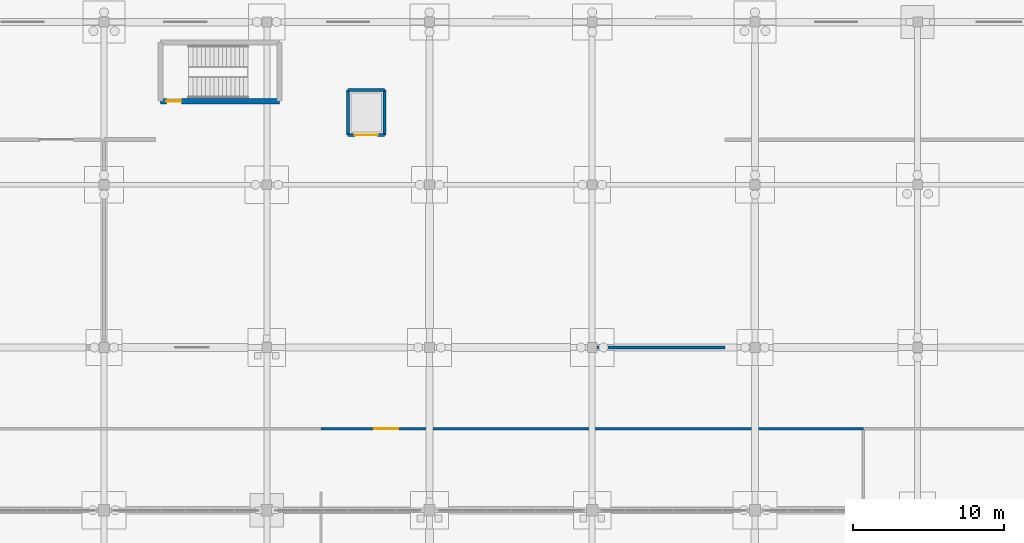
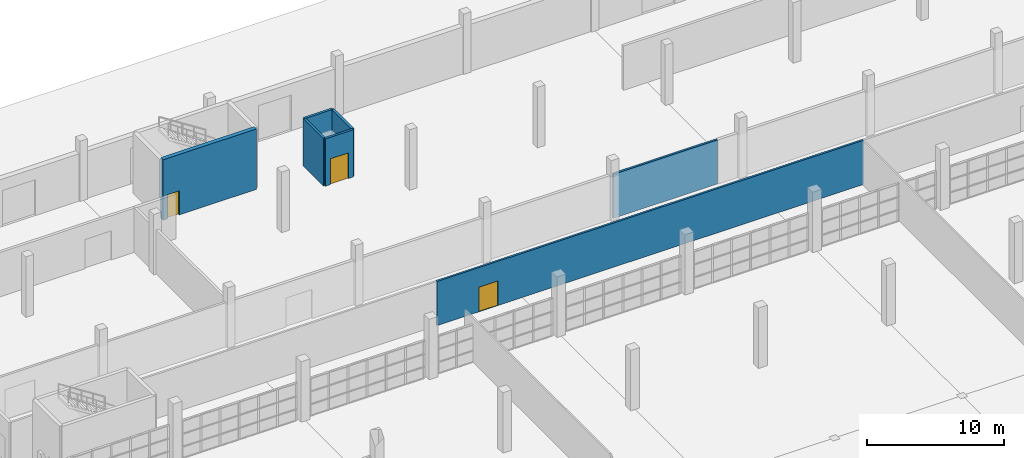
# One storey, part 106 of 138: 7 walls, 3 doors, 3 openings.
"""IFC4 building model written with IfcOpenShell, lengths in metres."""

from ifc_helpers import new_model, si_unit, direction, frame, frame_2d, origin, place, context, subcontext, project, spatial, rectangle, extrude, material, layer, layer_set, type_object, element, fill, save


model = new_model("IFC4")

# Units and contexts
model_context = context("Model", 3, precision=1e-05, world=origin(), true_north=direction((0.0, 1.0)))
body_context = subcontext(model_context, "Body", "Model", "MODEL_VIEW")
ifc_project = project(units=[si_unit("LENGTHUNIT", "METRE"), si_unit("AREAUNIT", "SQUARE_METRE"), si_unit("VOLUMEUNIT", "CUBIC_METRE"), si_unit("PLANEANGLEUNIT", "RADIAN"), si_unit("MASSUNIT", "GRAM", prefix="KILO")], contexts=[model_context])

# Site, building, storey
site_placement = place(None, origin())
site = spatial("IfcSite", under=ifc_project, at=site_placement, CompositionType="ELEMENT")
building_placement = place(site_placement, origin())
building = spatial("IfcBuilding", under=site, at=building_placement, Name="Zwinboog Wholesale Market", CompositionType="ELEMENT")
storey_placement = place(building_placement, origin())
storey = spatial("IfcBuildingStorey", under=building, at=storey_placement, Name="L00", CompositionType="ELEMENT", Elevation=0.0)

# Wall, opening, door
ifc_material_1 = material(Name="Concrete C40/50", Category="concrete")
ifc_layer_1 = layer(ifc_material_1, 0.35009765625)
ifc_layer_set_1 = layer_set([ifc_layer_1], Name="Concrete C40/50")
wall_type_1 = type_object("IfcWallType", Name="WT-SW-350", PredefinedType="SHEAR", material=ifc_layer_set_1)
wall_1_placement = place(storey_placement, frame((90.14990234375, 124.35009765625, 0.0), z_axis=(0.0, 0.0, 1.0), x_axis=(1.0, 0.0, 0.0)))
wall_1 = element("IfcWall", 1, at=wall_1_placement, inside=storey, type_object=wall_type_1, Name="SW-04 (WL-SW-L00-025)", PredefinedType="SHEAR", context=body_context, shape_type="SweptSolid", body=[
    extrude(rectangle(XDim=7.900146484375, YDim=0.35009765625, at=frame_2d((3.9501953125, 0.0))), origin(), (0.0, 0.0, 1.0), 5.39990234375),
])
opening_1_placement = place(wall_1_placement, frame((0.3798828125, 0.0, 0.0)))
opening_1 = element("IfcOpeningElement", 2, at=opening_1_placement, cuts=wall_1, Name="Opening FD-0007", PredefinedType="OPENING", context=body_context, shape_type="SweptSolid", body=[
    extrude(rectangle(XDim=1.0, YDim=2.14990234375, at=frame_2d((0.5, 1.074951171875))), frame((0.0, 0.18505859375, 0.0), z_axis=(0.0, -1.0, 0.0), x_axis=(1.0, 0.0, 0.0)), (0.0, 0.0, 1.0), 0.3701171875),
])
ifc_material_2 = material(Name="Timber and powder-coated steel door leaf", Category="steel")
door_type_1 = type_object("IfcDoorType", Name="IDT-FD-01", OperationType="NOTDEFINED", PredefinedType="DOOR", material=ifc_material_2)
door_1_placement = place(opening_1_placement, origin())
door_1 = element("IfcDoor", 3, at=door_1_placement, inside=storey, type_object=door_type_1, Name="Core Fire Door FD-0007", OperationType="SINGLE_SWING_RIGHT", OverallHeight=2.14990234375, OverallWidth=1.0, PredefinedType="DOOR", context=body_context, shape_type="SweptSolid", body=[
    extrude(rectangle(XDim=1.0, YDim=2.14990234375, at=frame_2d((0.5, 1.074951171875))), frame((0.0, 0.02490234375, 0.0), z_axis=(0.0, -1.0, 0.0), x_axis=(1.0, 0.0, 0.0)), (0.0, 0.0, 1.0), 0.050048828125),
])
fill(opening_1, door_1)

ifc_material_3 = material(Name="Precast concrete C45/55", Category="concrete")
ifc_layer_2 = layer(ifc_material_3, 0.199951171875)
ifc_layer_set_2 = layer_set([ifc_layer_2], Name="Precast concrete C45/55")
wall_type_2 = type_object("IfcWallType", Name="WT-IW-200", PredefinedType="SOLIDWALL", material=ifc_layer_set_2)
wall_2_placement = place(storey_placement, frame((102.60009765625, 122.10009765625, 0.0), z_axis=(0.0, 0.0, 1.0), x_axis=(1.0, 0.0, 0.0)))
wall_2 = element("IfcWall", 4, at=wall_2_placement, inside=storey, type_object=wall_type_2, Name="IW-60 (WL-LSH-L00-237)", PredefinedType="SOLIDWALL", context=body_context, shape_type="SweptSolid", body=[
    extrude(rectangle(XDim=2.39990234375, YDim=0.199951171875, at=frame_2d((1.199951171875, 0.0))), origin(), (0.0, 0.0, 1.0), 4.219970703125),
])
opening_2_placement = place(wall_2_placement, frame((0.449951171875, 0.0, 0.0)))
opening_2 = element("IfcOpeningElement", 5, at=opening_2_placement, cuts=wall_2, Name="Opening LD-018", PredefinedType="OPENING", context=body_context, shape_type="SweptSolid", body=[
    extrude(rectangle(XDim=1.5, YDim=2.300048828125, at=frame_2d((0.75, 1.14990234375))), frame((0.0, 0.10986328125, 0.0), z_axis=(0.0, -1.0, 0.0), x_axis=(1.0, 0.0, 0.0)), (0.0, 0.0, 1.0), 0.219970703125),
])
door_type_2 = type_object("IfcDoorType", Name="IDT-LD-150", OperationType="DOUBLE_DOOR_SLIDING", PredefinedType="DOOR", material=ifc_material_2)
door_2_placement = place(opening_2_placement, origin())
door_2 = element("IfcDoor", 6, at=door_2_placement, inside=storey, type_object=door_type_2, Name="Lift Landing Door LD-018 (LG-02)", OperationType="DOUBLE_DOOR_SLIDING", OverallHeight=2.300048828125, OverallWidth=1.5, PredefinedType="DOOR", context=body_context, shape_type="SweptSolid", body=[
    extrude(rectangle(XDim=1.5, YDim=2.300048828125, at=frame_2d((0.75, 1.14990234375))), frame((0.0, 0.02490234375, 0.0), z_axis=(0.0, -1.0, 0.0), x_axis=(1.0, 0.0, 0.0)), (0.0, 0.0, 1.0), 0.050048828125),
])
fill(opening_2, door_2)

# Walls
wall_3_placement = place(storey_placement, frame((102.60009765625, 125.10009765625, 0.0), z_axis=(0.0, 0.0, 1.0), x_axis=(1.0, 0.0, 0.0)))
element("IfcWall", 7, at=wall_3_placement, inside=storey, type_object=wall_type_2, Name="IW-60 (WL-LSH-L00-238)", PredefinedType="SOLIDWALL", context=body_context, shape_type="SweptSolid", body=[
    extrude(rectangle(XDim=2.39990234375, YDim=0.199951171875, at=frame_2d((1.199951171875, 0.0))), origin(), (0.0, 0.0, 1.0), 4.219970703125),
])
for number, where, z_axis, x_axis, name in (
    (8, (102.60009765625, 122.10009765625, 0.0), (0.0, 0.0, 1.0), (0.0, 1.0, 0.0), "IW-60 (WL-LSH-L00-239)"),
    (9, (105.0, 122.10009765625, 0.0), (0.0, 0.0, 1.0), (0.0, 1.0, 0.0), "IW-60 (WL-LSH-L00-240)"),
):
    element("IfcWall", number, at=place(storey_placement, frame(where, z_axis=z_axis, x_axis=x_axis)), inside=storey, type_object=wall_type_2, Name=name, PredefinedType="SOLIDWALL", context=body_context, shape_type="SweptSolid", body=[
        extrude(rectangle(XDim=3.0, YDim=0.199951171875, at=frame_2d((1.5, 0.0))), origin(), (0.0, 0.0, 1.0), 4.219970703125),
    ])

# Wall, opening, door
ifc_material_4 = material(Name="Laboratory acoustic partition")
ifc_layer_3 = layer(ifc_material_4, 0.16796875)
ifc_layer_set_3 = layer_set([ifc_layer_3], Name="Laboratory acoustic partition")
wall_type_3 = type_object("IfcWallType", Name="WT-PT-168", PredefinedType="PARTITIONING", material=ifc_layer_set_3)
wall_4_placement = place(storey_placement, frame((100.800048828125, 102.60009765625, 0.0), z_axis=(0.0, 0.0, 1.0), x_axis=(1.0, 0.0, 0.0)))
wall_4 = element("IfcWall", 10, at=wall_4_placement, inside=storey, type_object=wall_type_3, Name="PW-05 (WL-IN-L00-0026)", PredefinedType="PARTITIONING", context=body_context, shape_type="SweptSolid", body=[
    extrude(rectangle(XDim=36.0, YDim=0.16796875, at=frame_2d((18.0, 0.0))), origin(), (0.0, 0.0, 1.0), 3.949951171875),
])
opening_3_placement = place(wall_4_placement, frame((3.52001953125, 0.0, 0.0)))
opening_3 = element("IfcOpeningElement", 11, at=opening_3_placement, cuts=wall_4, Name="Opening IDF-0025", PredefinedType="OPENING", context=body_context, shape_type="SweptSolid", body=[
    extrude(rectangle(XDim=1.60009765625, YDim=2.199951171875, at=frame_2d((0.800048828125, 1.10009765625))), frame((0.0, 0.093994140625, 0.0), z_axis=(0.0, -1.0, 0.0), x_axis=(1.0, 0.0, 0.0)), (0.0, 0.0, 1.0), 0.18798828125),
])
door_type_3 = type_object("IfcDoorType", Name="IDT-FD-03", OperationType="DOUBLE_DOOR_SINGLE_SWING", PredefinedType="DOOR", material=ifc_material_2)
door_3_placement = place(opening_3_placement, origin())
door_3 = element("IfcDoor", 12, at=door_3_placement, inside=storey, type_object=door_type_3, Name="Interior Door IDF-0025", OperationType="DOUBLE_DOOR_SINGLE_SWING", OverallHeight=2.199951171875, OverallWidth=1.60009765625, PredefinedType="DOOR", context=body_context, shape_type="SweptSolid", body=[
    extrude(rectangle(XDim=1.60009765625, YDim=2.199951171875, at=frame_2d((0.800048828125, 1.10009765625))), frame((0.0, 0.02490234375, 0.0), z_axis=(0.0, -1.0, 0.0), x_axis=(1.0, 0.0, 0.0)), (0.0, 0.0, 1.0), 0.050048828125),
])
fill(opening_3, door_3)

# Wall
wall_5_placement = place(storey_placement, frame((118.800048828125, 108.0, 0.0), z_axis=(0.0, 0.0, 1.0), x_axis=(1.0, 0.0, 0.0)))
element("IfcWall", 13, at=wall_5_placement, inside=storey, type_object=wall_type_3, Name="PW-05 (WL-IN-L00-0078)", PredefinedType="PARTITIONING", context=body_context, shape_type="SweptSolid", body=[
    extrude(rectangle(XDim=8.800048828125, YDim=0.16796875, at=frame_2d((4.39990234375, 0.0))), origin(), (0.0, 0.0, 1.0), 3.949951171875),
])

save(model, "model.ifc")
